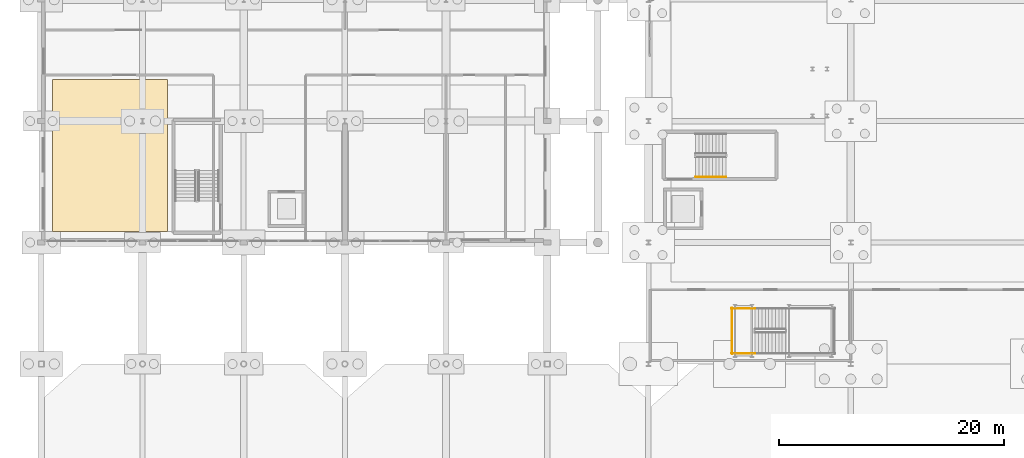
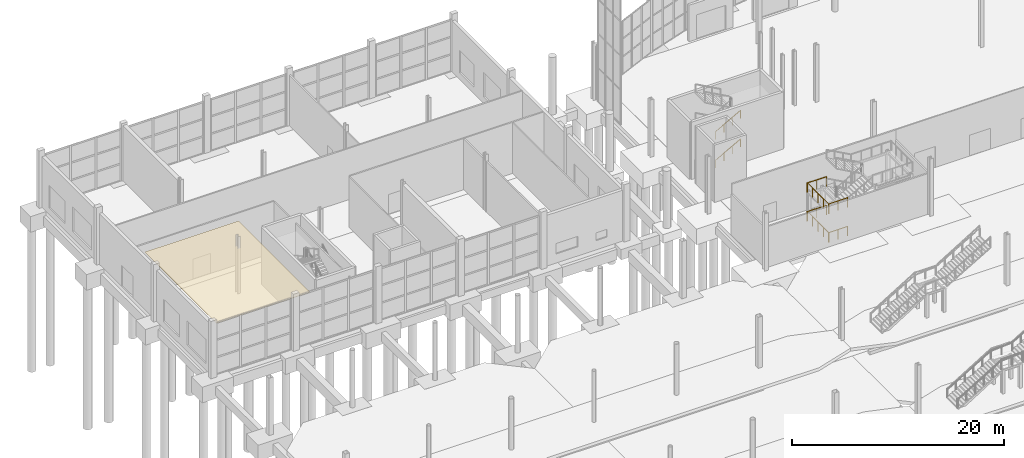
# One storey, part 105 of 115: 8 railings, 1 covering.
"""IFC4 building model written with IfcOpenShell, lengths in metres."""

from ifc_helpers import new_model, si_unit, direction, frame, origin, origin_2d, place, context, subcontext, project, spatial, polyline, circle, outline, extrude, material, layer, layer_set, type_object, element, save


model = new_model("IFC4")

# Units and contexts
model_context = context("Model", 3, precision=1e-05, world=origin(), true_north=direction((0.0, 1.0)))
body_context = subcontext(model_context, "Body", "Model", "MODEL_VIEW")
ifc_project = project(units=[si_unit("LENGTHUNIT", "METRE"), si_unit("AREAUNIT", "SQUARE_METRE"), si_unit("VOLUMEUNIT", "CUBIC_METRE"), si_unit("PLANEANGLEUNIT", "RADIAN"), si_unit("MASSUNIT", "GRAM", prefix="KILO")], contexts=[model_context])

# Site, building, storey
site_placement = place(None, origin())
site = spatial("IfcSite", under=ifc_project, at=site_placement, CompositionType="ELEMENT")
building_placement = place(site_placement, origin())
building = spatial("IfcBuilding", under=site, at=building_placement, Name="Tamarisk Ironworks Central Station", CompositionType="ELEMENT")
storey_placement = place(building_placement, origin())
storey = spatial("IfcBuildingStorey", under=building, at=storey_placement, Name="L00", CompositionType="ELEMENT", Elevation=0.0)

# Covering
ifc_material_1 = material(Name="Gypsum plasterboard acoustic partition")
ifc_layer = layer(ifc_material_1, 0.0400390625)
ifc_layer_set = layer_set([ifc_layer], Name="Gypsum plasterboard acoustic partition")
covering_type = type_object("IfcCoveringType", Name="COV-CEIL-AC", PredefinedType="CEILING", material=ifc_layer_set)
covering_placement = place(storey_placement, frame((0.0, 0.0, 5.199951171875)))
element("IfcCovering", 1, at=covering_placement, inside=storey, type_object=covering_type, Name="L00 suspended acoustic baffle ceiling 003", PredefinedType="CEILING", context=body_context, shape_type="SweptSolid", body=[
    extrude(outline(polyline([(1.0, 91.0), (11.199951171875, 91.0), (11.199951171875, 104.5), (1.0, 104.5), (1.0, 91.0)])), origin(), (0.0, 0.0, 1.0), 0.0400390625),
])

# Railings
ifc_material_2 = material(Name="Laminated solar-control low-E glass", Category="glass")
railing_type_1 = type_object("IfcRailingType", Name="RL-GUARD-GLASS", PredefinedType="BALUSTRADE", material=ifc_material_2)
for number, where, name in (
    (2, (61.39990234375, 80.14990234375, 3.300048828125), "L00 ST-TH1 stair guard 8"),
    (3, (61.39990234375, 84.14990234375, 3.300048828125), "L00 ST-TH1 stair guard 9"),
):
    element("IfcRailing", number, at=place(storey_placement, frame(where)), inside=storey, type_object=railing_type_1, Name=name, PredefinedType="BALUSTRADE", context=body_context, shape_type="SweptSolid", body=[
        extrude(circle(Radius=0.02392578125, at=origin_2d()), frame((0.0, 0.0, 1.076171875), z_axis=(1.0, 0.0, 0.0), x_axis=(0.0, 1.0, 0.0)), (0.0, 0.0, 1.0), 2.10009765625),
        extrude(circle(Radius=0.02099609375, at=origin_2d()), origin(), (0.0, 0.0, 1.0), 1.052001953125),
        extrude(circle(Radius=0.02099609375, at=origin_2d()), frame((1.050048828125, 0.0, 0.0)), (0.0, 0.0, 1.0), 1.052001953125),
        extrude(circle(Radius=0.02099609375, at=origin_2d()), frame((2.10009765625, 0.0, 0.0)), (0.0, 0.0, 1.0), 1.052001953125),
    ])
railing_1_placement = place(storey_placement, frame((61.449951171875, 80.10009765625, 3.300048828125)))
element("IfcRailing", 4, at=railing_1_placement, inside=storey, type_object=railing_type_1, Name="L00 ST-TH1 stair guard 10", PredefinedType="BALUSTRADE", context=body_context, shape_type="SweptSolid", body=[
    extrude(circle(Radius=0.02392578125, at=origin_2d()), frame((0.0, 0.0, 1.076171875), z_axis=(0.0, 1.0, 0.0), x_axis=(-1.0, 0.0, 0.0)), (0.0, 0.0, 1.0), 4.099853515625),
    extrude(circle(Radius=0.02099609375, at=origin_2d()), origin(), (0.0, 0.0, 1.0), 1.052001953125),
    extrude(circle(Radius=0.02099609375, at=origin_2d()), frame((0.0, 1.02490234375, 0.0)), (0.0, 0.0, 1.0), 1.052001953125),
    extrude(circle(Radius=0.02099609375, at=origin_2d()), frame((0.0, 2.0498046875, 0.0)), (0.0, 0.0, 1.0), 1.052001953125),
    extrude(circle(Radius=0.02099609375, at=origin_2d()), frame((0.0, 3.074951171875, 0.0)), (0.0, 0.0, 1.0), 1.052001953125),
    extrude(circle(Radius=0.02099609375, at=origin_2d()), frame((0.0, 4.099853515625, 0.0)), (0.0, 0.0, 1.0), 1.052001953125),
])
for number, where, name in (
    (5, (61.39990234375, 80.14990234375, 0.0), "L00 ST-TH1 stair guard 18"),
    (6, (61.39990234375, 84.14990234375, 0.0), "L00 ST-TH1 stair guard 19"),
):
    element("IfcRailing", number, at=place(storey_placement, frame(where)), inside=storey, type_object=railing_type_1, Name=name, PredefinedType="BALUSTRADE", context=body_context, shape_type="SweptSolid", body=[
        extrude(circle(Radius=0.02392578125, at=origin_2d()), frame((0.0, 0.0, 1.076171875), z_axis=(1.0, 0.0, 0.0), x_axis=(0.0, 1.0, 0.0)), (0.0, 0.0, 1.0), 2.10009765625),
        extrude(circle(Radius=0.02099609375, at=origin_2d()), origin(), (0.0, 0.0, 1.0), 1.052001953125),
        extrude(circle(Radius=0.02099609375, at=origin_2d()), frame((1.050048828125, 0.0, 0.0)), (0.0, 0.0, 1.0), 1.052001953125),
        extrude(circle(Radius=0.02099609375, at=origin_2d()), frame((2.10009765625, 0.0, 0.0)), (0.0, 0.0, 1.0), 1.052001953125),
    ])
railing_2_placement = place(storey_placement, frame((61.449951171875, 80.10009765625, 0.0)))
element("IfcRailing", 7, at=railing_2_placement, inside=storey, type_object=railing_type_1, Name="L00 ST-TH1 stair guard 20", PredefinedType="BALUSTRADE", context=body_context, shape_type="SweptSolid", body=[
    extrude(circle(Radius=0.02392578125, at=origin_2d()), frame((0.0, 0.0, 1.076171875), z_axis=(0.0, 1.0, 0.0), x_axis=(-1.0, 0.0, 0.0)), (0.0, 0.0, 1.0), 4.099853515625),
    extrude(circle(Radius=0.02099609375, at=origin_2d()), origin(), (0.0, 0.0, 1.0), 1.052001953125),
    extrude(circle(Radius=0.02099609375, at=origin_2d()), frame((0.0, 1.02490234375, 0.0)), (0.0, 0.0, 1.0), 1.052001953125),
    extrude(circle(Radius=0.02099609375, at=origin_2d()), frame((0.0, 2.0498046875, 0.0)), (0.0, 0.0, 1.0), 1.052001953125),
    extrude(circle(Radius=0.02099609375, at=origin_2d()), frame((0.0, 3.074951171875, 0.0)), (0.0, 0.0, 1.0), 1.052001953125),
    extrude(circle(Radius=0.02099609375, at=origin_2d()), frame((0.0, 4.099853515625, 0.0)), (0.0, 0.0, 1.0), 1.052001953125),
])
ifc_material_3 = material(Name="Brushed stainless steel AISI 316", Category="steel")
railing_type_2 = type_object("IfcRailingType", Name="RL-HAND", PredefinedType="HANDRAIL", material=ifc_material_3)
for number, where, name in (
    (8, (58.199951171875, 95.85009765625, 0.1650390625), "L00 ST-C3 stair handrail 1"),
    (9, (58.199951171875, 95.85009765625, 3.465087890625), "L00 ST-C3 stair handrail 3"),
):
    element("IfcRailing", number, at=place(storey_placement, frame(where)), inside=storey, type_object=railing_type_2, Name=name, PredefinedType="HANDRAIL", context=body_context, shape_type="SweptSolid", body=[
        extrude(circle(Radius=0.02392578125, at=origin_2d()), frame((0.0, 0.0, 0.8759765625), z_axis=(0.876230963923, 0.0, 0.481891375584), x_axis=(0.0, 1.0, 0.0)), (0.0, 0.0, 1.0), 3.081298828125),
        extrude(circle(Radius=0.02099609375, at=origin_2d()), origin(), (0.0, 0.0, 1.0), 0.851806640625),
        extrude(circle(Radius=0.02099609375, at=origin_2d()), frame((0.89990234375, 0.0, 0.494873046875)), (0.0, 0.0, 1.0), 0.851806640625),
        extrude(circle(Radius=0.02099609375, at=origin_2d()), frame((1.800048828125, 0.0, 0.989990234375)), (0.0, 0.0, 1.0), 0.851806640625),
        extrude(circle(Radius=0.02099609375, at=origin_2d()), frame((2.699951171875, 0.0, 1.48486328125)), (0.0, 0.0, 1.0), 0.851806640625),
    ])

save(model, "model.ifc")
